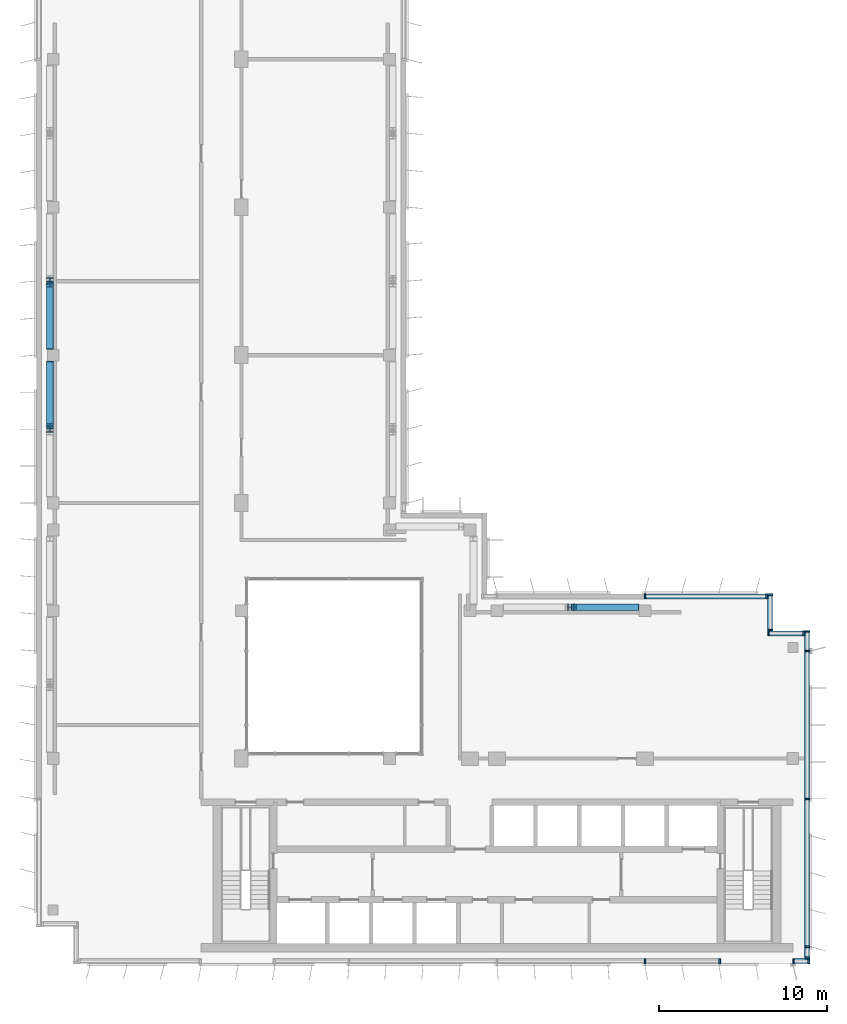
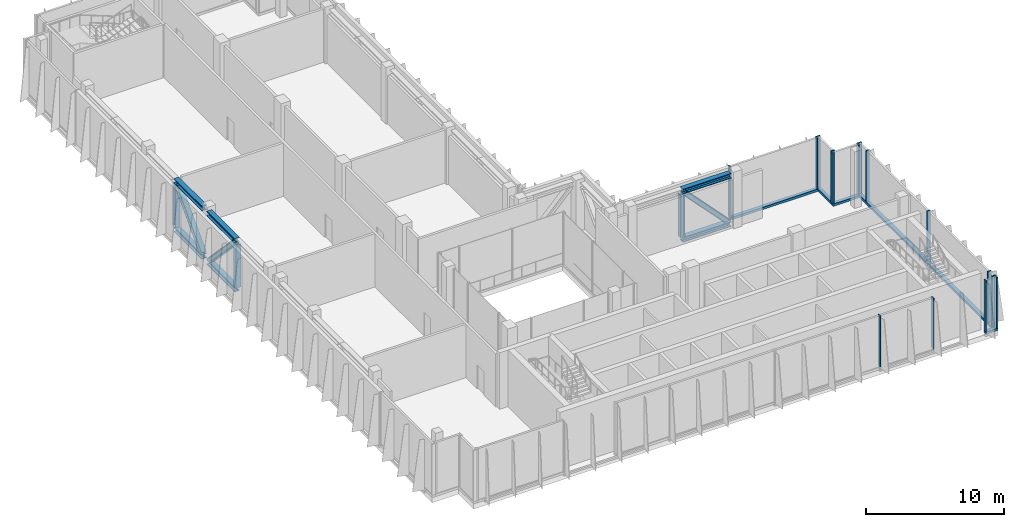
# One storey, part 5 of 14: 26 members, 6 beams, 6 elements without a shape of their own.
"""IFC4 building model written with IfcOpenShell, lengths in metres."""

from ifc_helpers import new_model, si_unit, direction, frame, origin, origin_2d, place, context, subcontext, project, spatial, rectangle, i_section, extrude, source, transform, mapped, material, material_profile, profile_set, type_object, element, aggregate, save


model = new_model("IFC4")

# Units and contexts
model_context = context("Model", 3, precision=1e-05, world=origin(), true_north=direction((0.0, 1.0)))
body_context = subcontext(model_context, "Body", "Model", "MODEL_VIEW")
ifc_project = project(units=[si_unit("LENGTHUNIT", "METRE"), si_unit("AREAUNIT", "SQUARE_METRE"), si_unit("VOLUMEUNIT", "CUBIC_METRE"), si_unit("PLANEANGLEUNIT", "RADIAN"), si_unit("MASSUNIT", "GRAM", prefix="KILO")], contexts=[model_context])

# Site, building, storey
site_placement = place(None, origin())
site = spatial("IfcSite", under=ifc_project, at=site_placement, CompositionType="ELEMENT")
building_placement = place(site_placement, origin())
building = spatial("IfcBuilding", under=site, at=building_placement, Name="Kemantara Hotel Tower", CompositionType="ELEMENT")
storey_placement = place(building_placement, frame((0.0, 0.0, 309.199951171875)))
storey = spatial("IfcBuildingStorey", under=building, at=storey_placement, Name="L78", CompositionType="ELEMENT", Elevation=309.199951171875)

# Curtain wall, member
ifc_material_1 = material(Name="Aluminium 6063-T6 bronze anodised", Category="aluminium")
curtain_wall_type = type_object("IfcCurtainWallType", Name="CROWN LOUVRE SCREEN WALL", PredefinedType="USERDEFINED", material=ifc_material_1)
curtain_wall_1_placement = place(storey_placement, origin())
curtain_wall_1 = element("IfcCurtainWall", 1, at=curtain_wall_1_placement, inside=storey, type_object=curtain_wall_type, Name="CW7 L78 CRN-R08-3", ObjectType="CROWN LOUVRE SCREEN WALL", PredefinedType="USERDEFINED")
ifc_material_profile_1 = material_profile(ifc_material_1, rectangle(XDim=0.300048828125, YDim=0.199951171875, at=origin_2d()), Name="CROWN LOUVRE SCREEN WALL TRANSOM")
ifc_profile_set_1 = profile_set([ifc_material_profile_1], Name="Aluminium 6063-T6 bronze anodised")
member_type_1 = type_object("IfcMemberType", Name="CROWN LOUVRE SCREEN WALL TRANSOM", PredefinedType="USERDEFINED", material=ifc_profile_set_1)
member_1_placement = place(storey_placement, frame((45.0, 0.14990234375, 0.10009765625), z_axis=(1.0, 0.0, 0.0), x_axis=(0.0, 1.0, 0.0)))
member_1 = element("IfcMember", 2, at=member_1_placement, type_object=member_type_1, Name="CW7 sill transom CRN-R08-3", ObjectType="TRANSOM", PredefinedType="USERDEFINED", context=body_context, shape_type="SweptSolid", body=[
    extrude(rectangle(XDim=0.300048828125, YDim=0.199951171875, at=origin_2d()), origin(), (0.0, 0.0, 1.0), 1.0),
])

curtain_wall_2_placement = place(storey_placement, origin())
curtain_wall_2 = element("IfcCurtainWall", 3, at=curtain_wall_2_placement, inside=storey, type_object=curtain_wall_type, Name="CW7 L78 CRN-R09-1", ObjectType="CROWN LOUVRE SCREEN WALL", PredefinedType="USERDEFINED")
member_2_placement = place(storey_placement, frame((45.85009765625, 0.300048828125, 0.10009765625), z_axis=(0.0, 1.0, 0.0), x_axis=(-1.0, 0.0, 0.0)))
member_2 = element("IfcMember", 4, at=member_2_placement, type_object=member_type_1, Name="CW7 sill transom CRN-R09-1", ObjectType="TRANSOM", PredefinedType="USERDEFINED", context=body_context, shape_type="SweptSolid", body=[
    extrude(rectangle(XDim=0.300048828125, YDim=0.199951171875, at=origin_2d()), origin(), (0.0, 0.0, 1.0), 19.5),
])

curtain_wall_3_placement = place(storey_placement, origin())
curtain_wall_3 = element("IfcCurtainWall", 5, at=curtain_wall_3_placement, inside=storey, type_object=curtain_wall_type, Name="CW7 L78 CRN-R12-1", ObjectType="CROWN LOUVRE SCREEN WALL", PredefinedType="USERDEFINED")
member_3_placement = place(storey_placement, frame((43.5, 21.85009765625, 0.10009765625), z_axis=(-1.0, 0.0, 0.0), x_axis=(0.0, -1.0, 0.0)))
member_3 = element("IfcMember", 6, at=member_3_placement, type_object=member_type_1, Name="CW7 sill transom CRN-R12-1", ObjectType="TRANSOM", PredefinedType="USERDEFINED", context=body_context, shape_type="SweptSolid", body=[
    extrude(rectangle(XDim=0.300048828125, YDim=0.199951171875, at=origin_2d()), origin(), (0.0, 0.0, 1.0), 7.300048828125),
])

curtain_wall_4_placement = place(storey_placement, origin())
curtain_wall_4 = element("IfcCurtainWall", 7, at=curtain_wall_4_placement, inside=storey, type_object=curtain_wall_type, Name="CW7 L78 CRN-R10-1", ObjectType="CROWN LOUVRE SCREEN WALL", PredefinedType="USERDEFINED")
member_4_placement = place(storey_placement, frame((45.699951171875, 19.64990234375, 0.10009765625), z_axis=(-1.0, 0.0, 0.0), x_axis=(0.0, -1.0, 0.0)))
member_4 = element("IfcMember", 8, at=member_4_placement, type_object=member_type_1, Name="CW7 sill transom CRN-R10-1", ObjectType="TRANSOM", PredefinedType="USERDEFINED", context=body_context, shape_type="SweptSolid", body=[
    extrude(rectangle(XDim=0.300048828125, YDim=0.199951171875, at=origin_2d()), origin(), (0.0, 0.0, 1.0), 2.199951171875),
])

curtain_wall_5_placement = place(storey_placement, origin())
curtain_wall_5 = element("IfcCurtainWall", 9, at=curtain_wall_5_placement, inside=storey, type_object=curtain_wall_type, Name="CW7 L78 CRN-R11-1", ObjectType="CROWN LOUVRE SCREEN WALL", PredefinedType="USERDEFINED")
member_5_placement = place(storey_placement, frame((43.64990234375, 19.800048828125, 0.10009765625), z_axis=(0.0, 1.0, 0.0), x_axis=(-1.0, 0.0, 0.0)))
member_5 = element("IfcMember", 10, at=member_5_placement, type_object=member_type_1, Name="CW7 sill transom CRN-R11-1", ObjectType="TRANSOM", PredefinedType="USERDEFINED", context=body_context, shape_type="SweptSolid", body=[
    extrude(rectangle(XDim=0.300048828125, YDim=0.199951171875, at=origin_2d()), origin(), (0.0, 0.0, 1.0), 2.199951171875),
])

# Beams
ifc_material_2 = material(Name="Steel ASTM A992 Grade 50", Category="steel")
ifc_material_profile_2 = material_profile(ifc_material_2, i_section(OverallWidth=0.410888671875, OverallDepth=0.43408203125, WebThickness=0.035888671875, FlangeThickness=0.057373046875, at=origin_2d()), Name="W360X463")
ifc_profile_set_2 = profile_set([ifc_material_profile_2], Name="Steel ASTM A992 Grade 50")
beam_type = type_object("IfcBeamType", Name="TOP L78 TRUSS CHORD W360X463", PredefinedType="BEAM", material=ifc_profile_set_2)
for number, where, z_axis, x_axis, name in (
    (11, (0.800048828125, 31.800048828125, 0.217041015625), (0.0, 1.0, 0.0), (-1.0, 0.0, 0.0), "TOP L78 BAY 4 bottom chord 2"),
    (12, (0.800048828125, 31.800048828125, 4.483154296875), (0.0, 1.0, 0.0), (-1.0, 0.0, 0.0), "TOP L78 BAY 4 top chord 2"),
    (13, (0.800048828125, 36.550048828125, 0.217041015625), (0.0, 1.0, 0.0), (-1.0, 0.0, 0.0), "TOP L78 BAY 5 bottom chord 1"),
    (14, (0.800048828125, 36.550048828125, 4.483154296875), (0.0, 1.0, 0.0), (-1.0, 0.0, 0.0), "TOP L78 BAY 5 top chord 1"),
    (15, (31.800048828125, 21.199951171875, 0.217041015625), (1.0, 0.0, 0.0), (0.0, 1.0, 0.0), "TOP L78 BAY 13 bottom chord 2"),
    (16, (31.800048828125, 21.199951171875, 4.483154296875), (1.0, 0.0, 0.0), (0.0, 1.0, 0.0), "TOP L78 BAY 13 top chord 2"),
):
    element("IfcBeam", number, at=place(storey_placement, frame(where, z_axis=z_axis, x_axis=x_axis)), inside=storey, type_object=beam_type, Name=name, PredefinedType="BEAM", context=body_context, shape_type="SweptSolid", body=[
        extrude(i_section(OverallWidth=0.410888671875, OverallDepth=0.43408203125, WebThickness=0.035888671875, FlangeThickness=0.057373046875, at=origin_2d()), origin(), (0.0, 0.0, 1.0), 4.050048828125),
    ])

# Members
ifc_material_profile_3 = material_profile(ifc_material_2, i_section(OverallWidth=0.404052734375, OverallDepth=0.406005859375, WebThickness=0.027099609375, FlangeThickness=0.043701171875, at=origin_2d()), Name="W360X347")
ifc_profile_set_3 = profile_set([ifc_material_profile_3], Name="Steel ASTM A992 Grade 50")
member_type_2 = type_object("IfcMemberType", Name="TOP L78 TRUSS DIAGONAL W360X347", PredefinedType="BRACE", material=ifc_profile_set_3)
for number, where, z_axis, x_axis, name in (
    (17, (0.800048828125, 35.658935546875, 0.418212890625), (0.0, -0.688514566613, 0.725222511758), (1.0, 0.0, 0.0), "TOP L78 BAY 4 diagonal 2"),
    (18, (0.800048828125, 36.740966796875, 0.418212890625), (0.0, 0.688514566613, 0.725222511758), (-1.0, 0.0, 0.0), "TOP L78 BAY 5 diagonal 1"),
    (19, (35.658935546875, 21.199951171875, 0.418212890625), (-0.688514566613, 0.0, 0.725222511758), (0.0, -1.0, 0.0), "TOP L78 BAY 13 diagonal 2"),
):
    element("IfcMember", number, at=place(storey_placement, frame(where, z_axis=z_axis, x_axis=x_axis)), inside=storey, type_object=member_type_2, Name=name, PredefinedType="BRACE", context=body_context, shape_type="SweptSolid", body=[
        extrude(i_section(OverallWidth=0.404052734375, OverallDepth=0.406005859375, WebThickness=0.027099609375, FlangeThickness=0.043701171875, at=origin_2d()), origin(), (0.0, 0.0, 1.0), 5.327392578125),
    ])
ifc_material_profile_4 = material_profile(ifc_material_2, i_section(OverallWidth=0.39892578125, OverallDepth=0.385986328125, WebThickness=0.02099609375, FlangeThickness=0.033203125, at=origin_2d()), Name="W360X262")
ifc_profile_set_4 = profile_set([ifc_material_profile_4], Name="Steel ASTM A992 Grade 50")
member_type_3 = type_object("IfcMemberType", Name="TOP L78 TRUSS POST W360X262", PredefinedType="POST", material=ifc_profile_set_4)
for number, where, z_axis, x_axis, name in (
    (20, (0.800048828125, 31.800048828125, 0.43408203125), (0.0, 0.0, 1.0), (1.0, 0.0, 0.0), "TOP L78 BAY 4 post 2"),
    (21, (0.800048828125, 40.60009765625, 0.43408203125), (0.0, 0.0, 1.0), (1.0, 0.0, 0.0), "TOP L78 BAY 5 post 2"),
    (22, (31.800048828125, 21.199951171875, 0.43408203125), (0.0, 0.0, 1.0), (0.0, 1.0, 0.0), "TOP L78 BAY 13 post 2"),
):
    element("IfcMember", number, at=place(storey_placement, frame(where, z_axis=z_axis, x_axis=x_axis)), inside=storey, type_object=member_type_3, Name=name, PredefinedType="POST", context=body_context, shape_type="SweptSolid", body=[
        extrude(i_section(OverallWidth=0.39892578125, OverallDepth=0.385986328125, WebThickness=0.02099609375, FlangeThickness=0.033203125, at=origin_2d()), origin(), (0.0, 0.0, 1.0), 3.83203125),
    ])

# Curtain wall, members
curtain_wall_6_placement = place(storey_placement, origin())
curtain_wall_6 = element("IfcCurtainWall", 23, at=curtain_wall_6_placement, inside=storey, type_object=curtain_wall_type, Name="CW7 L78 CRN-R08-2", ObjectType="CROWN LOUVRE SCREEN WALL", PredefinedType="USERDEFINED")
ifc_material_profile_5 = material_profile(ifc_material_1, rectangle(XDim=0.300048828125, YDim=0.10009765625, at=origin_2d()), Name="CROWN LOUVRE SCREEN WALL MULLION")
ifc_profile_set_5 = profile_set([ifc_material_profile_5], Name="Aluminium 6063-T6 bronze anodised")
member_type_4 = type_object("IfcMemberType", Name="CROWN LOUVRE SCREEN WALL MULLION", PredefinedType="MULLION", material=ifc_profile_set_5)
shared_shape = source(origin(), body_context, "Body", "SweptSolid", [
    extrude(rectangle(XDim=0.300048828125, YDim=0.10009765625, at=origin_2d()), origin(), (0.0, 0.0, 1.0), 4.5),
])
member_6_placement = place(storey_placement, frame((36.199951171875, 0.14990234375, 0.199951171875), z_axis=(0.0, 0.0, 1.0), x_axis=(0.0, 1.0, 0.0)))
member_6 = element("IfcMember", 24, at=member_6_placement, type_object=member_type_4, Name="CW7 mullion CRN-R08-2.4", PredefinedType="MULLION", context=body_context, shape_type="MappedRepresentation", body=[
    mapped(shared_shape, transform((0.0, 0.0, 0.0))),
])
member_7_placement = place(storey_placement, frame((40.64990234375, 0.14990234375, 0.199951171875), z_axis=(0.0, 0.0, 1.0), x_axis=(0.0, 1.0, 0.0)))
member_7 = element("IfcMember", 25, at=member_7_placement, type_object=member_type_4, Name="CW7 mullion CRN-R08-2.5", PredefinedType="MULLION", context=body_context, shape_type="MappedRepresentation", body=[
    mapped(shared_shape, transform((0.0, 0.0, 0.0))),
])
aggregate(curtain_wall_6, [member_6, member_7])

# Member
member_8_placement = place(storey_placement, frame((45.050048828125, 0.14990234375, 0.199951171875), z_axis=(0.0, 0.0, 1.0), x_axis=(0.0, 1.0, 0.0)))
member_8 = element("IfcMember", 26, at=member_8_placement, type_object=member_type_4, Name="CW7 mullion CRN-R08-3.1", PredefinedType="MULLION", context=body_context, shape_type="MappedRepresentation", body=[
    mapped(shared_shape, transform((0.0, 0.0, 0.0))),
])

member_9_placement = place(storey_placement, frame((45.949951171875, 0.14990234375, 0.199951171875), z_axis=(0.0, 0.0, 1.0), x_axis=(0.0, 1.0, 0.0)))
member_9 = element("IfcMember", 27, at=member_9_placement, type_object=member_type_4, Name="CW7 mullion CRN-R08-3.2", PredefinedType="MULLION", context=body_context, shape_type="MappedRepresentation", body=[
    mapped(shared_shape, transform((0.0, 0.0, 0.0))),
])

aggregate(curtain_wall_1, [member_1, member_8, member_9])

member_10_placement = place(storey_placement, frame((45.85009765625, 0.35009765625, 0.199951171875), z_axis=(0.0, 0.0, 1.0), x_axis=(-1.0, 0.0, 0.0)))
member_10 = element("IfcMember", 28, at=member_10_placement, type_object=member_type_4, Name="CW7 mullion CRN-R09-1.1", PredefinedType="MULLION", context=body_context, shape_type="MappedRepresentation", body=[
    mapped(shared_shape, transform((0.0, 0.0, 0.0))),
])

member_11_placement = place(storey_placement, frame((45.85009765625, 1.0, 0.199951171875), z_axis=(0.0, 0.0, 1.0), x_axis=(-1.0, 0.0, 0.0)))
member_11 = element("IfcMember", 29, at=member_11_placement, type_object=member_type_4, Name="CW7 mullion CRN-R09-1.2", PredefinedType="MULLION", context=body_context, shape_type="MappedRepresentation", body=[
    mapped(shared_shape, transform((0.0, 0.0, 0.0))),
])

member_12_placement = place(storey_placement, frame((45.85009765625, 9.800048828125, 0.199951171875), z_axis=(0.0, 0.0, 1.0), x_axis=(-1.0, 0.0, 0.0)))
member_12 = element("IfcMember", 30, at=member_12_placement, type_object=member_type_4, Name="CW7 mullion CRN-R09-1.3", PredefinedType="MULLION", context=body_context, shape_type="MappedRepresentation", body=[
    mapped(shared_shape, transform((0.0, 0.0, 0.0))),
])

member_13_placement = place(storey_placement, frame((45.85009765625, 18.60009765625, 0.199951171875), z_axis=(0.0, 0.0, 1.0), x_axis=(-1.0, 0.0, 0.0)))
member_13 = element("IfcMember", 31, at=member_13_placement, type_object=member_type_4, Name="CW7 mullion CRN-R09-1.4", PredefinedType="MULLION", context=body_context, shape_type="MappedRepresentation", body=[
    mapped(shared_shape, transform((0.0, 0.0, 0.0))),
])

member_14_placement = place(storey_placement, frame((45.85009765625, 19.75, 0.199951171875), z_axis=(0.0, 0.0, 1.0), x_axis=(-1.0, 0.0, 0.0)))
member_14 = element("IfcMember", 32, at=member_14_placement, type_object=member_type_4, Name="CW7 mullion CRN-R09-1.5", PredefinedType="MULLION", context=body_context, shape_type="MappedRepresentation", body=[
    mapped(shared_shape, transform((0.0, 0.0, 0.0))),
])

aggregate(curtain_wall_2, [member_2, member_10, member_11, member_12, member_13, member_14])

member_15_placement = place(storey_placement, frame((43.449951171875, 21.85009765625, 0.199951171875), z_axis=(0.0, 0.0, 1.0), x_axis=(0.0, -1.0, 0.0)))
member_15 = element("IfcMember", 33, at=member_15_placement, type_object=member_type_4, Name="CW7 mullion CRN-R12-1.1", PredefinedType="MULLION", context=body_context, shape_type="MappedRepresentation", body=[
    mapped(shared_shape, transform((0.0, 0.0, 0.0))),
])

member_16_placement = place(storey_placement, frame((36.199951171875, 21.85009765625, 0.199951171875), z_axis=(0.0, 0.0, 1.0), x_axis=(0.0, -1.0, 0.0)))
member_16 = element("IfcMember", 34, at=member_16_placement, type_object=member_type_4, Name="CW7 mullion CRN-R12-1.2", PredefinedType="MULLION", context=body_context, shape_type="MappedRepresentation", body=[
    mapped(shared_shape, transform((0.0, 0.0, 0.0))),
])

aggregate(curtain_wall_3, [member_3, member_15, member_16])

member_17_placement = place(storey_placement, frame((45.64990234375, 19.64990234375, 0.199951171875), z_axis=(0.0, 0.0, 1.0), x_axis=(0.0, -1.0, 0.0)))
member_17 = element("IfcMember", 35, at=member_17_placement, type_object=member_type_4, Name="CW7 mullion CRN-R10-1.1", PredefinedType="MULLION", context=body_context, shape_type="MappedRepresentation", body=[
    mapped(shared_shape, transform((0.0, 0.0, 0.0))),
])

member_18_placement = place(storey_placement, frame((43.550048828125, 19.64990234375, 0.199951171875), z_axis=(0.0, 0.0, 1.0), x_axis=(0.0, -1.0, 0.0)))
member_18 = element("IfcMember", 36, at=member_18_placement, type_object=member_type_4, Name="CW7 mullion CRN-R10-1.2", PredefinedType="MULLION", context=body_context, shape_type="MappedRepresentation", body=[
    mapped(shared_shape, transform((0.0, 0.0, 0.0))),
])

aggregate(curtain_wall_4, [member_4, member_17, member_18])

member_19_placement = place(storey_placement, frame((43.64990234375, 19.85009765625, 0.199951171875), z_axis=(0.0, 0.0, 1.0), x_axis=(-1.0, 0.0, 0.0)))
member_19 = element("IfcMember", 37, at=member_19_placement, type_object=member_type_4, Name="CW7 mullion CRN-R11-1.1", PredefinedType="MULLION", context=body_context, shape_type="MappedRepresentation", body=[
    mapped(shared_shape, transform((0.0, 0.0, 0.0))),
])

member_20_placement = place(storey_placement, frame((43.64990234375, 21.949951171875, 0.199951171875), z_axis=(0.0, 0.0, 1.0), x_axis=(-1.0, 0.0, 0.0)))
member_20 = element("IfcMember", 38, at=member_20_placement, type_object=member_type_4, Name="CW7 mullion CRN-R11-1.2", PredefinedType="MULLION", context=body_context, shape_type="MappedRepresentation", body=[
    mapped(shared_shape, transform((0.0, 0.0, 0.0))),
])

aggregate(curtain_wall_5, [member_5, member_19, member_20])

save(model, "model.ifc")
